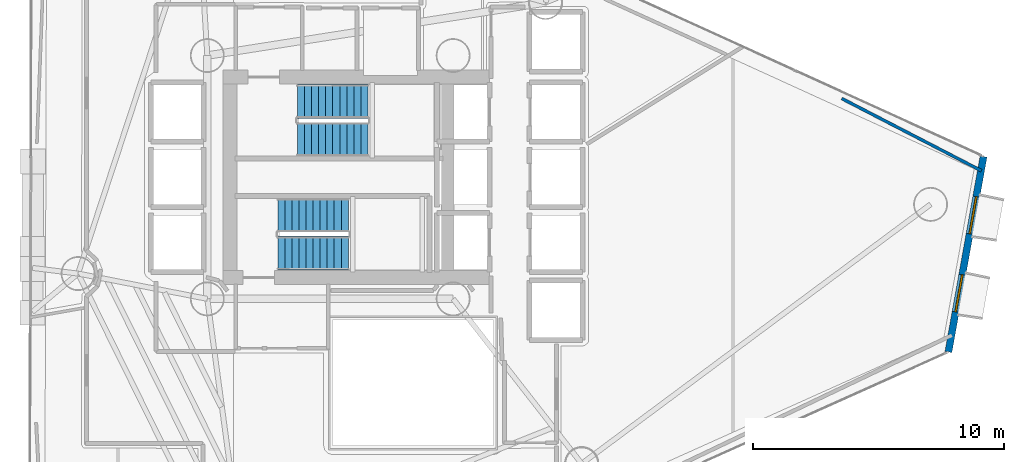
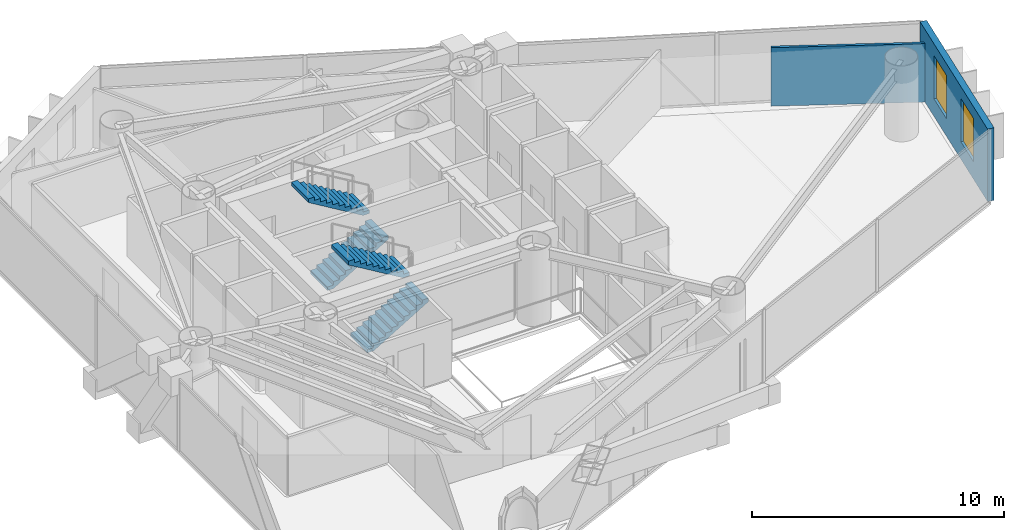
# One storey, part 20 of 23: 4 stair flights, 2 walls, 2 windows, 2 openings, 2 elements without a shape of their own.
"""IFC4 building model written with IfcOpenShell, lengths in metres."""

import ifcopenshell
import ifcopenshell.guid

model = None  # the IFC model being written
_history = None  # IfcOwnerHistory: only IFC2X3 demands one
_inside = {}  # id of a spatial element -> (the spatial element, [elements in it])
_under = {}  # id of a project, library or spatial element -> (it, [spatial elements below it])
_declared = {}  # id of a project -> (the project, [libraries it declares])
_typed = {}  # id of a type object -> (the type object, [elements of that type])
_made_of = {}  # id of a material, layer set ... -> (it, [elements and type objects made of it])


def new_model(schema):
    """Start an empty IFC model of exactly this schema.

    Asked for "IFC4X3", IfcOpenShell would pick the latest addendum, in which some entities
    have other attributes; the version numbers below select the first issue.
    IFC2X3 requires an IfcOwnerHistory on every rooted entity: one is made here for all.
    """
    global model, _history
    if schema == "IFC4X3":
        model = ifcopenshell.file(schema_version=(4, 3, 0, 0))
    else:
        model = ifcopenshell.file(schema=schema)
    _inside.clear()
    _under.clear()
    _declared.clear()
    _typed.clear()
    _made_of.clear()
    _history = None
    if model.schema == "IFC2X3":
        org = make("IfcOrganization", Name="unknown")
        user = make(
            "IfcPersonAndOrganization",
            ThePerson=make("IfcPerson", FamilyName="unknown"),
            TheOrganization=org,
        )
        app = make(
            "IfcApplication",
            ApplicationDeveloper=org,
            Version="unknown",
            ApplicationFullName="unknown",
            ApplicationIdentifier="unknown",
        )
        _history = make(
            "IfcOwnerHistory",
            OwningUser=user,
            OwningApplication=app,
            ChangeAction="ADDED",
            CreationDate=0,
        )
    return model


def make(cls, **values):
    """One entity of the class cls with the attributes given. An attribute that is None is left unset."""
    return model.create_entity(
        cls, **{name: value for name, value in values.items() if value is not None}
    )


def rooted(cls, **values):
    """An entity with a GlobalId (a new one), such as an element, a storey or a relation."""
    return make(cls, GlobalId=ifcopenshell.guid.new(), OwnerHistory=_history, **values)


def si_unit(unit_type, name, prefix=None):
    """IfcSIUnit, for example si_unit("LENGTHUNIT", "METRE", prefix="MILLI")."""
    return make("IfcSIUnit", UnitType=unit_type, Prefix=prefix, Name=name)


def assignment(units):
    """IfcUnitAssignment: the units of a project."""
    return None if units is None else make("IfcUnitAssignment", Units=units)


def point(xyz):
    """IfcCartesianPoint."""
    return None if xyz is None else make("IfcCartesianPoint", Coordinates=xyz)


def direction(xyz):
    """IfcDirection."""
    return None if xyz is None else make("IfcDirection", DirectionRatios=xyz)


def frame(location, z_axis=None, x_axis=None):
    """IfcAxis2Placement3D, a coordinate frame: its origin and axes. An axis left out is left unset."""
    return make(
        "IfcAxis2Placement3D",
        Location=point(location),
        Axis=direction(z_axis),
        RefDirection=direction(x_axis),
    )


def frame_2d(location, x_axis=None):
    """IfcAxis2Placement2D, a coordinate frame in the plane: its origin and x axis."""
    return make(
        "IfcAxis2Placement2D", Location=point(location), RefDirection=direction(x_axis)
    )


def origin():
    """The frame at (0, 0, 0) with its axes left unset."""
    return frame((0.0, 0.0, 0.0))


def place(relative_to, where):
    """IfcLocalPlacement: puts the frame where relative to a parent placement (None: the world)."""
    return make(
        "IfcLocalPlacement", PlacementRelTo=relative_to, RelativePlacement=where
    )


def context(
    kind, dimensions, precision=None, world=None, true_north=None, identifier=None
):
    """IfcGeometricRepresentationContext, for example the 3D "Model" context."""
    return make(
        "IfcGeometricRepresentationContext",
        ContextIdentifier=identifier,
        ContextType=kind,
        CoordinateSpaceDimension=dimensions,
        Precision=precision,
        WorldCoordinateSystem=world,
        TrueNorth=true_north,
    )


def subcontext(parent, identifier, kind, view, scale=None):
    """IfcGeometricRepresentationSubContext, for example "Body" below "Model"."""
    return make(
        "IfcGeometricRepresentationSubContext",
        ContextIdentifier=identifier,
        ContextType=kind,
        ParentContext=parent,
        TargetScale=scale,
        TargetView=view,
    )


def project(units=None, contexts=None):
    """IfcProject with its units and contexts."""
    return rooted(
        "IfcProject",
        Name="project",
        RepresentationContexts=contexts,
        UnitsInContext=assignment(units),
    )


def spatial(cls, under=None, at=None, **own):
    """A site, building, storey or space (cls), placed at a placement, below another one or the project."""
    s = rooted(cls, ObjectPlacement=at, **own)
    if under is not None:
        _under.setdefault(under.id(), (under, []))[1].append(s)
    return s


def polyline(points):
    """IfcPolyline through the points."""
    return make("IfcPolyline", Points=[point(p) for p in points])


def profile(cls, at=None, kind="AREA", **sizes):
    """A parametric profile (cls). Its sizes go by their IFC names, for example OverallWidth=200.0."""
    return make(cls, ProfileType=kind, Position=at, **sizes)


def rectangle(**sizes):
    """IfcRectangleProfileDef."""
    return profile("IfcRectangleProfileDef", **sizes)


def outline(outer, holes=None, kind="AREA"):
    """IfcArbitraryClosedProfileDef: a profile drawn as a closed curve; with holes, ...WithVoids."""
    if holes is None:
        return make("IfcArbitraryClosedProfileDef", ProfileType=kind, OuterCurve=outer)
    return make(
        "IfcArbitraryProfileDefWithVoids",
        ProfileType=kind,
        OuterCurve=outer,
        InnerCurves=holes,
    )


def extrude(swept, where, along, depth):
    """IfcExtrudedAreaSolid: the profile swept, set in the frame where, extruded along a direction by depth."""
    return make(
        "IfcExtrudedAreaSolid",
        SweptArea=swept,
        Position=where,
        ExtrudedDirection=direction(along),
        Depth=depth,
    )


def shape(context_of_items, identifier, shape_type, items):
    """IfcShapeRepresentation: the items that make up one representation, for example the "Body"."""
    return make(
        "IfcShapeRepresentation",
        ContextOfItems=context_of_items,
        RepresentationIdentifier=identifier,
        RepresentationType=shape_type,
        Items=items,
    )


def material(Name=None, Category=None):
    """IfcMaterial."""
    return make("IfcMaterial", Name=Name, Category=Category)


def layer(
    of_material, thickness, ventilated=None, Name=None, Category=None, Priority=None
):
    """IfcMaterialLayer: one layer of a wall or slab, of a material (None: an air gap)."""
    return make(
        "IfcMaterialLayer",
        Material=of_material,
        LayerThickness=thickness,
        IsVentilated=ventilated,
        Name=Name,
        Category=Category,
        Priority=Priority,
    )


def layer_set(layers, Name=None):
    """IfcMaterialLayerSet."""
    return make("IfcMaterialLayerSet", MaterialLayers=layers, LayerSetName=Name)


def made_of(thing, what):
    """Note that an element or type object is made of a material, layer set ...; save() writes the relation."""
    if what is not None:
        _made_of.setdefault(what.id(), (what, []))[1].append(thing)
    return thing


def type_object(cls, material=None, **own):
    """A type object (cls), such as IfcWallType, which elements share."""
    return made_of(rooted(cls, **own), material)


def element(
    cls,
    number,
    at=None,
    inside=None,
    cuts=None,
    type_object=None,
    material=None,
    context=None,
    identifier="Body",
    shape_type=None,
    held_by="IfcProductDefinitionShape",
    body=None,
    shapes=None,
    **own,
):
    """One element of the class cls, such as IfcWall. Its Tag is "e" and its number.

    at: its placement. inside: the storey or other place that contains it. cuts: it is an
    opening in that element (IfcRelVoidsElement). A single representation is given by context,
    identifier, shape_type and body (its items); several are given by shapes. held_by: the class
    of the entity that holds the representations. save() writes the other relations.
    """
    e = rooted(cls, Tag="e%d" % number, ObjectPlacement=at, **own)
    if body is not None:
        shapes = [shape(context, identifier, shape_type, body)]
    if shapes is not None:
        e.Representation = make(held_by, Representations=shapes)
    if inside is not None:
        _inside.setdefault(inside.id(), (inside, []))[1].append(e)
    if cuts is not None:
        rooted(
            "IfcRelVoidsElement", RelatingBuildingElement=cuts, RelatedOpeningElement=e
        )
    if type_object is not None:
        _typed.setdefault(type_object.id(), (type_object, []))[1].append(e)
    return made_of(e, material)


def fill(opening, filler):
    """IfcRelFillsElement: the door or window that sits in an opening."""
    return rooted(
        "IfcRelFillsElement",
        RelatingOpeningElement=opening,
        RelatedBuildingElement=filler,
    )


def aggregate(whole, parts):
    """IfcRelAggregates: a whole, such as a stair, and the parts it consists of."""
    return rooted("IfcRelAggregates", RelatingObject=whole, RelatedObjects=parts)


def save(model, path):
    """Write the relations noted so far, then the file.

    IfcRelAggregates (storeys below a building ...), IfcRelContainedInSpatialStructure (elements
    in a storey), IfcRelDefinesByType, IfcRelAssociatesMaterial and IfcRelDeclares: one each for
    every whole, place, type object, material and project.
    """
    for whole, parts in _under.values():
        aggregate(whole, parts)
    for where, things in _inside.values():
        rooted(
            "IfcRelContainedInSpatialStructure",
            RelatedElements=things,
            RelatingStructure=where,
        )
    for kind, things in _typed.values():
        rooted("IfcRelDefinesByType", RelatedObjects=things, RelatingType=kind)
    for what, things in _made_of.values():
        rooted("IfcRelAssociatesMaterial", RelatedObjects=things, RelatingMaterial=what)
    for by, libraries in _declared.values():
        rooted("IfcRelDeclares", RelatingContext=by, RelatedDefinitions=libraries)
    model.write(path)


model = new_model("IFC4")

# Units and contexts
model_context = context("Model", 3, precision=1e-05, world=origin(), true_north=direction((0.0, 1.0)))
body_context = subcontext(model_context, "Body", "Model", "MODEL_VIEW")
ifc_project = project(units=[si_unit("LENGTHUNIT", "METRE"), si_unit("AREAUNIT", "SQUARE_METRE"), si_unit("VOLUMEUNIT", "CUBIC_METRE"), si_unit("PLANEANGLEUNIT", "RADIAN"), si_unit("MASSUNIT", "GRAM", prefix="KILO")], contexts=[model_context])

# Site, building, storey
site_placement = place(None, origin())
site = spatial("IfcSite", under=ifc_project, at=site_placement, CompositionType="ELEMENT")
building_placement = place(site_placement, origin())
building = spatial("IfcBuilding", under=site, at=building_placement, Name="Qianvela Tower", CompositionType="ELEMENT")
storey_placement = place(building_placement, frame((0.0, 0.0, 147.60009765625)))
storey = spatial("IfcBuildingStorey", under=building, at=storey_placement, Name="L37", CompositionType="ELEMENT", Elevation=147.60009765625)

# Wall, openings, windows
ifc_material_1 = material(Name="Terracotta Cladding on Concrete C40", Category="masonry")
ifc_layer_1 = layer(ifc_material_1, 0.280029296875)
ifc_layer_set_1 = layer_set([ifc_layer_1], Name="Terracotta Cladding on Concrete C40")
wall_type_1 = type_object("IfcWallType", Name="TERRACOTTA-WALL-280", PredefinedType="SOLIDWALL", material=ifc_layer_set_1)
wall_1_placement = place(storey_placement, frame((58.145263671875, 21.73291015625, 0.0), z_axis=(0.0, 0.0, 1.0), x_axis=(0.176814221435, 0.98424424362, 0.0)))
wall_1 = element("IfcWall", 1, at=wall_1_placement, inside=storey, type_object=wall_type_1, Name="L37 Terracotta Chamfer Facet Wall 1", PredefinedType="SOLIDWALL", context=body_context, shape_type="SweptSolid", body=[
    extrude(rectangle(XDim=7.916015625, YDim=0.280029296875, at=frame_2d((3.9580078125, 0.0))), origin(), (0.0, 0.0, 1.0), 3.52001953125),
])
opening_1_placement = place(wall_1_placement, frame((1.624755859375, 0.0, 0.85009765625)))
opening_1 = element("IfcOpeningElement", 2, at=opening_1_placement, cuts=wall_1, Name="Opening W-02", PredefinedType="OPENING", context=body_context, shape_type="SweptSolid", body=[
    extrude(rectangle(XDim=1.5, YDim=2.10009765625, at=frame_2d((0.75, 1.050048828125))), frame((0.0, 0.14990234375, 0.0), z_axis=(0.0, -1.0, 0.0), x_axis=(1.0, 0.0, 0.0)), (0.0, 0.0, 1.0), 0.300048828125),
])
opening_2_placement = place(wall_1_placement, frame((4.791259765625, 0.0, 0.85009765625)))
opening_2 = element("IfcOpeningElement", 3, at=opening_2_placement, cuts=wall_1, Name="Opening W-02", PredefinedType="OPENING", context=body_context, shape_type="SweptSolid", body=[
    extrude(rectangle(XDim=1.5, YDim=2.10009765625, at=frame_2d((0.75, 1.050048828125))), frame((0.0, 0.14990234375, 0.0), z_axis=(0.0, -1.0, 0.0), x_axis=(1.0, 0.0, 0.0)), (0.0, 0.0, 1.0), 0.300048828125),
])
ifc_material_2 = material(Name="Thermally Broken Aluminium and Low-E Glass", Category="aluminium")
window_type = type_object("IfcWindowType", Name="WIN-TC-1500x2100", PartitioningType="DOUBLE_PANEL_VERTICAL", PredefinedType="WINDOW", material=ifc_material_2)
window_1_placement = place(opening_1_placement, origin())
window_1 = element("IfcWindow", 4, at=window_1_placement, inside=storey, type_object=window_type, Name="L37 Chamfer Facet Window 1.1", OverallHeight=2.10009765625, OverallWidth=1.5, PartitioningType="SINGLE_PANEL", PredefinedType="WINDOW", context=body_context, shape_type="SweptSolid", body=[
    extrude(rectangle(XDim=1.5, YDim=2.10009765625, at=frame_2d((0.75, 1.050048828125))), frame((0.0, 0.030029296875, 0.0), z_axis=(0.0, -1.0, 0.0), x_axis=(1.0, 0.0, 0.0)), (0.0, 0.0, 1.0), 0.06005859375),
])
fill(opening_1, window_1)
window_2_placement = place(opening_2_placement, origin())
window_2 = element("IfcWindow", 5, at=window_2_placement, inside=storey, type_object=window_type, Name="L37 Chamfer Facet Window 1.2", OverallHeight=2.10009765625, OverallWidth=1.5, PartitioningType="SINGLE_PANEL", PredefinedType="WINDOW", context=body_context, shape_type="SweptSolid", body=[
    extrude(rectangle(XDim=1.5, YDim=2.10009765625, at=frame_2d((0.75, 1.050048828125))), frame((0.0, 0.030029296875, 0.0), z_axis=(0.0, -1.0, 0.0), x_axis=(1.0, 0.0, 0.0)), (0.0, 0.0, 1.0), 0.06005859375),
])
fill(opening_2, window_2)

# Wall
ifc_material_3 = material(Name="Insulated Gypsum Stud Partition")
ifc_layer_2 = layer(ifc_material_3, 0.1201171875)
ifc_layer_set_2 = layer_set([ifc_layer_2], Name="Insulated Gypsum Stud Partition")
wall_type_2 = type_object("IfcWallType", Name="WT-PART-120", PredefinedType="PARTITIONING", material=ifc_layer_set_2)
wall_2_placement = place(storey_placement, frame((53.8955078125, 31.83642578125, 0.0), z_axis=(0.0, 0.0, 1.0), x_axis=(0.888172146663, -0.45951086809, 0.0)))
element("IfcWall", 6, at=wall_2_placement, inside=storey, type_object=wall_type_2, Name="L37 Partition 95 seg 1", PredefinedType="PARTITIONING", context=body_context, shape_type="SweptSolid", body=[
    extrude(rectangle(XDim=6.267822265625, YDim=0.1201171875, at=frame_2d((3.1337890625, 0.0))), origin(), (0.0, 0.0, 1.0), 2.83984375),
])

# Stair, stair flights
ifc_material_4 = material(Name="Concrete C40", Category="concrete")
stair_type = type_object("IfcStairType", Name="ST-DOGLEG-1350-R168-N22", PredefinedType="HALF_TURN_STAIR", material=ifc_material_4)
stair_1_placement = place(storey_placement, origin())
stair_1 = element("IfcStair", 7, at=stair_1_placement, inside=storey, type_object=stair_type, Name="L37 Smoke-Proof Core Stair ST-1", PredefinedType="HALF_TURN_STAIR")
ifc_material_5 = material(Name="Concrete C40", Category="concrete")
stair_flight_type = type_object("IfcStairFlightType", Name="STF-STRAIGHT-R168-P11", PredefinedType="STRAIGHT", material=ifc_material_5)
stair_flight_1_placement = place(storey_placement, frame((32.199951171875, 30.215087890625, 0.0), z_axis=(0.0, 0.0, 1.0), x_axis=(1.0, 0.0, 0.0)))
stair_flight_1 = element("IfcStairFlight", 8, at=stair_flight_1_placement, type_object=stair_flight_type, Name="ST-1 flight 1", NumberOfRisers=11, NumberOfTreads=10, PredefinedType="STRAIGHT", RiserHeight=0.168181818, TreadLength=0.28, context=body_context, shape_type="SweptSolid", body=[
    extrude(outline(polyline([(0.0, 0.0), (0.0, 0.168212890625), (0.280029296875, 0.168212890625), (0.280029296875, 0.33642578125), (0.56005859375, 0.33642578125), (0.56005859375, 0.504638671875), (0.840087890625, 0.504638671875), (0.840087890625, 0.672607421875), (1.1201171875, 0.672607421875), (1.1201171875, 0.8408203125), (1.39990234375, 0.8408203125), (1.39990234375, 1.009033203125), (1.679931640625, 1.009033203125), (1.679931640625, 1.17724609375), (1.9599609375, 1.17724609375), (1.9599609375, 1.345458984375), (2.239990234375, 1.345458984375), (2.239990234375, 1.513671875), (2.52001953125, 1.513671875), (2.52001953125, 1.681884765625), (2.800048828125, 1.681884765625), (2.800048828125, 1.85009765625), (2.800048828125, 1.5068359375), (0.291015625, 0.0), (0.0, 0.0)])), frame((0.0, 0.675048828125, 0.0), z_axis=(0.0, -1.0, 0.0), x_axis=(1.0, 0.0, 0.0)), (0.0, 0.0, 1.0), 1.35009765625),
])
stair_flight_2_placement = place(storey_placement, frame((35.0, 31.72509765625, 1.849853515625), z_axis=(0.0, 0.0, 1.0), x_axis=(-1.0, 0.0, 0.0)))
stair_flight_2 = element("IfcStairFlight", 9, at=stair_flight_2_placement, type_object=stair_flight_type, Name="ST-1 flight 2", NumberOfRisers=11, NumberOfTreads=10, PredefinedType="STRAIGHT", RiserHeight=0.168181818, TreadLength=0.28, context=body_context, shape_type="SweptSolid", body=[
    extrude(outline(polyline([(0.0, 0.0), (0.0, 0.168212890625), (0.280029296875, 0.168212890625), (0.280029296875, 0.33642578125), (0.56005859375, 0.33642578125), (0.56005859375, 0.504638671875), (0.840087890625, 0.504638671875), (0.840087890625, 0.672607421875), (1.1201171875, 0.672607421875), (1.1201171875, 0.8408203125), (1.39990234375, 0.8408203125), (1.39990234375, 1.009033203125), (1.679931640625, 1.009033203125), (1.679931640625, 1.17724609375), (1.9599609375, 1.17724609375), (1.9599609375, 1.345458984375), (2.239990234375, 1.345458984375), (2.239990234375, 1.513671875), (2.52001953125, 1.513671875), (2.52001953125, 1.681884765625), (2.800048828125, 1.681884765625), (2.800048828125, 1.85009765625), (2.800048828125, 1.5068359375), (0.291015625, 0.0), (0.0, 0.0)])), frame((0.0, 0.675048828125, 0.0), z_axis=(0.0, -1.0, 0.0), x_axis=(1.0, 0.0, 0.0)), (0.0, 0.0, 1.0), 1.35009765625),
])
aggregate(stair_1, [stair_flight_1, stair_flight_2])

stair_2_placement = place(storey_placement, origin())
stair_2 = element("IfcStair", 10, at=stair_2_placement, inside=storey, type_object=stair_type, Name="L37 Smoke-Proof Core Stair ST-2", PredefinedType="HALF_TURN_STAIR")
stair_flight_3_placement = place(storey_placement, frame((31.419921875, 25.675048828125, 0.0), z_axis=(0.0, 0.0, 1.0), x_axis=(1.0, 0.0, 0.0)))
stair_flight_3 = element("IfcStairFlight", 11, at=stair_flight_3_placement, type_object=stair_flight_type, Name="ST-2 flight 1", NumberOfRisers=11, NumberOfTreads=10, PredefinedType="STRAIGHT", RiserHeight=0.168181818, TreadLength=0.28, context=body_context, shape_type="SweptSolid", body=[
    extrude(outline(polyline([(0.0, 0.0), (0.0, 0.168212890625), (0.280029296875, 0.168212890625), (0.280029296875, 0.33642578125), (0.56005859375, 0.33642578125), (0.56005859375, 0.504638671875), (0.840087890625, 0.504638671875), (0.840087890625, 0.672607421875), (1.1201171875, 0.672607421875), (1.1201171875, 0.8408203125), (1.39990234375, 0.8408203125), (1.39990234375, 1.009033203125), (1.679931640625, 1.009033203125), (1.679931640625, 1.17724609375), (1.9599609375, 1.17724609375), (1.9599609375, 1.345458984375), (2.239990234375, 1.345458984375), (2.239990234375, 1.513671875), (2.52001953125, 1.513671875), (2.52001953125, 1.681884765625), (2.800048828125, 1.681884765625), (2.800048828125, 1.85009765625), (2.800048828125, 1.5068359375), (0.291015625, 0.0), (0.0, 0.0)])), frame((0.0, 0.675048828125, 0.0), z_axis=(0.0, -1.0, 0.0), x_axis=(1.0, 0.0, 0.0)), (0.0, 0.0, 1.0), 1.35009765625),
])
stair_flight_4_placement = place(storey_placement, frame((34.219970703125, 27.18505859375, 1.849853515625), z_axis=(0.0, 0.0, 1.0), x_axis=(-1.0, 0.0, 0.0)))
stair_flight_4 = element("IfcStairFlight", 12, at=stair_flight_4_placement, type_object=stair_flight_type, Name="ST-2 flight 2", NumberOfRisers=11, NumberOfTreads=10, PredefinedType="STRAIGHT", RiserHeight=0.168181818, TreadLength=0.28, context=body_context, shape_type="SweptSolid", body=[
    extrude(outline(polyline([(0.0, 0.0), (0.0, 0.168212890625), (0.280029296875, 0.168212890625), (0.280029296875, 0.33642578125), (0.56005859375, 0.33642578125), (0.56005859375, 0.504638671875), (0.840087890625, 0.504638671875), (0.840087890625, 0.672607421875), (1.1201171875, 0.672607421875), (1.1201171875, 0.8408203125), (1.39990234375, 0.8408203125), (1.39990234375, 1.009033203125), (1.679931640625, 1.009033203125), (1.679931640625, 1.17724609375), (1.9599609375, 1.17724609375), (1.9599609375, 1.345458984375), (2.239990234375, 1.345458984375), (2.239990234375, 1.513671875), (2.52001953125, 1.513671875), (2.52001953125, 1.681884765625), (2.800048828125, 1.681884765625), (2.800048828125, 1.85009765625), (2.800048828125, 1.5068359375), (0.291015625, 0.0), (0.0, 0.0)])), frame((0.0, 0.675048828125, 0.0), z_axis=(0.0, -1.0, 0.0), x_axis=(1.0, 0.0, 0.0)), (0.0, 0.0, 1.0), 1.35009765625),
])
aggregate(stair_2, [stair_flight_3, stair_flight_4])

save(model, "model.ifc")
